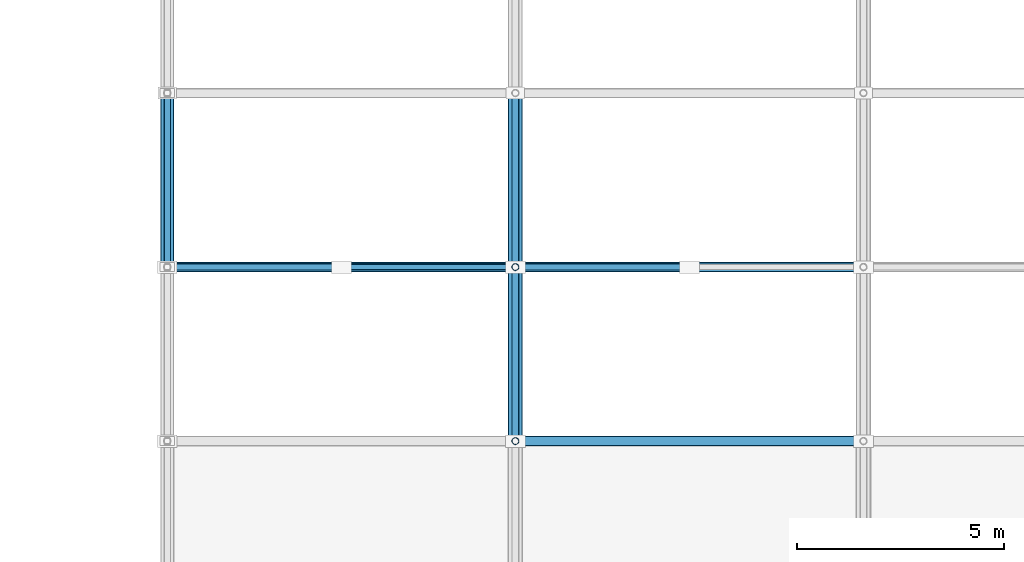
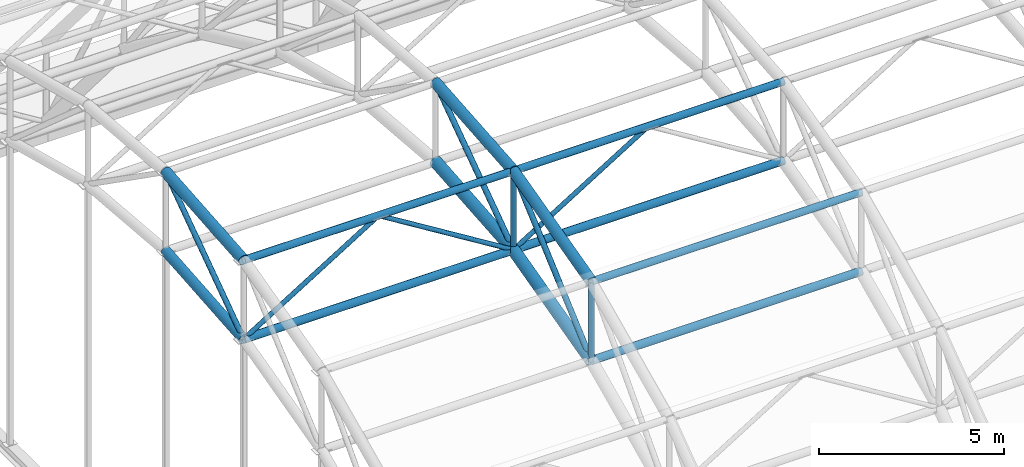
# One storey, part 11 of 103: 14 members, 6 beams.
"""IFC4 building model written with IfcOpenShell, lengths in metres."""

from ifc_helpers import new_model, si_unit, direction, frame, origin, origin_2d, place, context, subcontext, project, spatial, hollow_circle, extrude, material, material_profile, profile_set, type_object, element, save


model = new_model("IFC4")

# Units and contexts
model_context = context("Model", 3, precision=1e-05, world=origin(), true_north=direction((0.0, 1.0)))
body_context = subcontext(model_context, "Body", "Model", "MODEL_VIEW")
ifc_project = project(units=[si_unit("LENGTHUNIT", "METRE"), si_unit("AREAUNIT", "SQUARE_METRE"), si_unit("VOLUMEUNIT", "CUBIC_METRE"), si_unit("PLANEANGLEUNIT", "RADIAN"), si_unit("MASSUNIT", "GRAM", prefix="KILO")], contexts=[model_context])

# Site, building, storey
site_placement = place(None, origin())
site = spatial("IfcSite", under=ifc_project, at=site_placement, CompositionType="ELEMENT")
building_placement = place(site_placement, origin())
building = spatial("IfcBuilding", under=site, at=building_placement, Name="Varnapada Polytechnic", CompositionType="ELEMENT")
storey_placement = place(building_placement, frame((0.0, 0.0, 18.0)))
storey = spatial("IfcBuildingStorey", under=building, at=storey_placement, Name="L04", CompositionType="ELEMENT", Elevation=18.0)

# Beam
ifc_material = material(Name="Steel S355", Category="steel")
ifc_material_profile_1 = material_profile(ifc_material, hollow_circle(Radius=0.149169921875, WallThickness=0.010009765625, at=origin_2d()), Name="CHS 298.5x10.0")
ifc_profile_set_1 = profile_set([ifc_material_profile_1], Name="Steel S355")
beam_type_1 = type_object("IfcBeamType", Name="Space frame end-bay arch rib VA-04 (CHS 298.5x10.0)", PredefinedType="BEAM", material=ifc_profile_set_1)
beam_1_placement = place(storey_placement, frame((50.39990234375, 100.800048828125, 11.080078125), z_axis=(0.0, 0.99644233396, 0.084277369988), x_axis=(-1.0, 0.0, 0.0)))
element("IfcBeam", 1, at=beam_1_placement, inside=storey, type_object=beam_type_1, Name="Vaulted space frame bottom arch chord 1.5", PredefinedType="BEAM", context=body_context, shape_type="SweptSolid", body=[
    extrude(hollow_circle(Radius=0.149169921875, WallThickness=0.010009765625, at=origin_2d()), origin(), (0.0, 0.0, 1.0), 4.21484375),
])

# Members
ifc_material_profile_2 = material_profile(ifc_material, hollow_circle(Radius=0.07958984375, WallThickness=0.00634765625, at=origin_2d()), Name="CHS 159.0x6.3")
ifc_profile_set_2 = profile_set([ifc_material_profile_2], Name="Steel S355")
member_type_1 = type_object("IfcMemberType", Name="Space frame perimeter web diagonal SFB-03 (CHS 159.0x6.3)", PredefinedType="BRACE", material=ifc_profile_set_2)
member_1_placement = place(storey_placement, frame((50.39990234375, 100.800048828125, 11.080078125), z_axis=(0.0, 0.817824649693, 0.575467498956), x_axis=(-1.0, 0.0, 0.0)))
element("IfcMember", 2, at=member_1_placement, inside=storey, type_object=member_type_1, Name="Vaulted space frame web diagonal 1.5", PredefinedType="BRACE", context=body_context, shape_type="SweptSolid", body=[
    extrude(hollow_circle(Radius=0.07958984375, WallThickness=0.00634765625, at=origin_2d()), origin(), (0.0, 0.0, 1.0), 5.135498046875),
])
ifc_material_profile_3 = material_profile(ifc_material, hollow_circle(Radius=0.122314453125, WallThickness=0.008056640625, at=origin_2d()), Name="CHS 244.5x8.0")
ifc_profile_set_3 = profile_set([ifc_material_profile_3], Name="Steel S355")
member_type_2 = type_object("IfcMemberType", Name="Vaulted space frame longitudinal bottom chord SFC-01 (CHS 244.5x8.0)", PredefinedType="CHORD", material=ifc_profile_set_3)
member_2_placement = place(storey_placement, frame((50.39990234375, 100.800048828125, 11.080078125), z_axis=(1.0, 0.0, 0.0), x_axis=(0.0, 1.0, 0.0)))
element("IfcMember", 3, at=member_2_placement, inside=storey, type_object=member_type_2, Name="Vaulted space frame longitudinal bottom chord 1.5", PredefinedType="CHORD", context=body_context, shape_type="SweptSolid", body=[
    extrude(hollow_circle(Radius=0.122314453125, WallThickness=0.008056640625, at=origin_2d()), origin(), (0.0, 0.0, 1.0), 8.400146484375),
])
for number, where, z_axis, x_axis, name in (
    (4, (58.800048828125, 96.60009765625, 9.98193359375), (1.0, 0.0, 0.0), (0.0, 1.0, 0.0), "Vaulted space frame longitudinal bottom chord 2.4"),
    (5, (58.800048828125, 100.800048828125, 11.080078125), (1.0, 0.0, 0.0), (0.0, 1.0, 0.0), "Vaulted space frame longitudinal bottom chord 2.5"),
):
    element("IfcMember", number, at=place(storey_placement, frame(where, z_axis=z_axis, x_axis=x_axis)), inside=storey, type_object=member_type_2, Name=name, PredefinedType="CHORD", context=body_context, shape_type="SweptSolid", body=[
        extrude(hollow_circle(Radius=0.122314453125, WallThickness=0.008056640625, at=origin_2d()), origin(), (0.0, 0.0, 1.0), 8.39990234375),
    ])
ifc_material_profile_4 = material_profile(ifc_material, hollow_circle(Radius=0.109619140625, WallThickness=0.008056640625, at=origin_2d()), Name="CHS 219.1x8.0")
ifc_profile_set_4 = profile_set([ifc_material_profile_4], Name="Steel S355")
member_type_3 = type_object("IfcMemberType", Name="Vaulted space frame longitudinal top chord SFC-02 (CHS 219.1x8.0)", PredefinedType="CHORD", material=ifc_profile_set_4)
member_3_placement = place(storey_placement, frame((50.39990234375, 100.800048828125, 13.679931640625), z_axis=(1.0, 0.0, 0.0), x_axis=(0.0, 1.0, 0.0)))
element("IfcMember", 6, at=member_3_placement, inside=storey, type_object=member_type_3, Name="Vaulted space frame longitudinal top chord 1.5", PredefinedType="CHORD", context=body_context, shape_type="SweptSolid", body=[
    extrude(hollow_circle(Radius=0.109619140625, WallThickness=0.008056640625, at=origin_2d()), origin(), (0.0, 0.0, 1.0), 8.400146484375),
])
for number, where, z_axis, x_axis, name in (
    (7, (58.800048828125, 96.60009765625, 12.581787109375), (1.0, 0.0, 0.0), (0.0, 1.0, 0.0), "Vaulted space frame longitudinal top chord 2.4"),
    (8, (58.800048828125, 100.800048828125, 13.679931640625), (1.0, 0.0, 0.0), (0.0, 1.0, 0.0), "Vaulted space frame longitudinal top chord 2.5"),
):
    element("IfcMember", number, at=place(storey_placement, frame(where, z_axis=z_axis, x_axis=x_axis)), inside=storey, type_object=member_type_3, Name=name, PredefinedType="CHORD", context=body_context, shape_type="SweptSolid", body=[
        extrude(hollow_circle(Radius=0.109619140625, WallThickness=0.008056640625, at=origin_2d()), origin(), (0.0, 0.0, 1.0), 8.39990234375),
    ])

# Beams
ifc_material_profile_5 = material_profile(ifc_material, hollow_circle(Radius=0.177734375, WallThickness=0.012451171875, at=origin_2d()), Name="CHS 355.6x12.5")
ifc_profile_set_5 = profile_set([ifc_material_profile_5], Name="Steel S355")
beam_type_2 = type_object("IfcBeamType", Name="Vaulted space frame primary arch rib VA-01 (CHS 355.6x12.5)", PredefinedType="BEAM", material=ifc_profile_set_5)
beam_2_placement = place(storey_placement, frame((58.800048828125, 96.60009765625, 9.98193359375), z_axis=(0.0, 0.967476176159, 0.252962148484), x_axis=(-1.0, 0.0, 0.0)))
element("IfcBeam", 9, at=beam_2_placement, inside=storey, type_object=beam_type_2, Name="Vaulted space frame bottom arch chord 2.4", PredefinedType="BEAM", context=body_context, shape_type="SweptSolid", body=[
    extrude(hollow_circle(Radius=0.177734375, WallThickness=0.012451171875, at=origin_2d()), origin(), (0.0, 0.0, 1.0), 4.341064453125),
])
beam_3_placement = place(storey_placement, frame((58.800048828125, 100.800048828125, 11.080078125), z_axis=(0.0, 0.99644233396, 0.084277369988), x_axis=(-1.0, 0.0, 0.0)))
element("IfcBeam", 10, at=beam_3_placement, inside=storey, type_object=beam_type_2, Name="Vaulted space frame bottom arch chord 2.5", PredefinedType="BEAM", context=body_context, shape_type="SweptSolid", body=[
    extrude(hollow_circle(Radius=0.177734375, WallThickness=0.012451171875, at=origin_2d()), origin(), (0.0, 0.0, 1.0), 4.21484375),
])

# Members
ifc_material_profile_6 = material_profile(ifc_material, hollow_circle(Radius=0.084228515625, WallThickness=0.00634765625, at=origin_2d()), Name="CHS 168.3x6.3")
ifc_profile_set_6 = profile_set([ifc_material_profile_6], Name="Steel S355")
member_type_4 = type_object("IfcMemberType", Name="Vaulted space frame primary web diagonal SFB-01 (CHS 168.3x6.3)", PredefinedType="BRACE", material=ifc_profile_set_6)
member_4_placement = place(storey_placement, frame((58.800048828125, 96.60009765625, 9.98193359375), z_axis=(0.0, 0.750532603682, 0.660833421378), x_axis=(-1.0, 0.0, 0.0)))
element("IfcMember", 11, at=member_4_placement, inside=storey, type_object=member_type_4, Name="Vaulted space frame web diagonal 2.4", PredefinedType="BRACE", context=body_context, shape_type="SweptSolid", body=[
    extrude(hollow_circle(Radius=0.084228515625, WallThickness=0.00634765625, at=origin_2d()), origin(), (0.0, 0.0, 1.0), 5.595947265625),
])
member_5_placement = place(storey_placement, frame((58.800048828125, 100.800048828125, 11.080078125), z_axis=(0.0, 0.817824649693, 0.575467498956), x_axis=(-1.0, 0.0, 0.0)))
element("IfcMember", 12, at=member_5_placement, inside=storey, type_object=member_type_4, Name="Vaulted space frame web diagonal 2.5", PredefinedType="BRACE", context=body_context, shape_type="SweptSolid", body=[
    extrude(hollow_circle(Radius=0.084228515625, WallThickness=0.00634765625, at=origin_2d()), origin(), (0.0, 0.0, 1.0), 5.135498046875),
])
ifc_material_profile_7 = material_profile(ifc_material, hollow_circle(Radius=0.084228515625, WallThickness=0.00634765625, at=origin_2d()), Name="CHS 168.3x6.3")
ifc_profile_set_7 = profile_set([ifc_material_profile_7], Name="Steel S355")
member_type_5 = type_object("IfcMemberType", Name="Vaulted space frame radial web strut SFS-01 (CHS 168.3x6.3)", PredefinedType="STRUT", material=ifc_profile_set_7)
for number, where, z_axis, x_axis, name in (
    (13, (58.800048828125, 96.60009765625, 9.98193359375), (0.0, 0.0, 1.0), (1.0, 0.0, 0.0), "Vaulted space frame strut 2.4"),
    (14, (58.800048828125, 100.800048828125, 11.080078125), (0.0, 0.0, 1.0), (1.0, 0.0, 0.0), "Vaulted space frame strut 2.5"),
):
    element("IfcMember", number, at=place(storey_placement, frame(where, z_axis=z_axis, x_axis=x_axis)), inside=storey, type_object=member_type_5, Name=name, PredefinedType="STRUT", context=body_context, shape_type="SweptSolid", body=[
        extrude(hollow_circle(Radius=0.084228515625, WallThickness=0.00634765625, at=origin_2d()), origin(), (0.0, 0.0, 1.0), 2.599853515625),
    ])
ifc_material_profile_8 = material_profile(ifc_material, hollow_circle(Radius=0.06982421875, WallThickness=0.0048828125, at=origin_2d()), Name="CHS 139.7x5.0")
ifc_profile_set_8 = profile_set([ifc_material_profile_8], Name="Steel S355")
member_type_6 = type_object("IfcMemberType", Name="Vaulted space frame secondary web diagonal SFB-02 (CHS 139.7x5.0)", PredefinedType="BRACE", material=ifc_profile_set_8)
member_6_placement = place(storey_placement, frame((50.39990234375, 100.800048828125, 11.080078125), z_axis=(0.850289371618, 0.0, 0.526315480025), x_axis=(0.0, 1.0, 0.0)))
element("IfcMember", 15, at=member_6_placement, inside=storey, type_object=member_type_6, Name="Vaulted space frame longitudinal brace 1.5A", PredefinedType="BRACE", context=body_context, shape_type="SweptSolid", body=[
    extrude(hollow_circle(Radius=0.06982421875, WallThickness=0.0048828125, at=origin_2d()), origin(), (0.0, 0.0, 1.0), 4.939697265625),
])
for number, where, z_axis, x_axis, name in (
    (16, (58.800048828125, 100.800048828125, 11.080078125), (-0.85027567993, 0.0, 0.526337598999), (0.0, -1.0, 0.0), "Vaulted space frame longitudinal brace 1.5B"),
    (17, (58.800048828125, 100.800048828125, 11.080078125), (0.85027567993, 0.0, 0.526337598999), (0.0, 1.0, 0.0), "Vaulted space frame longitudinal brace 2.5A"),
):
    element("IfcMember", number, at=place(storey_placement, frame(where, z_axis=z_axis, x_axis=x_axis)), inside=storey, type_object=member_type_6, Name=name, PredefinedType="BRACE", context=body_context, shape_type="SweptSolid", body=[
        extrude(hollow_circle(Radius=0.06982421875, WallThickness=0.0048828125, at=origin_2d()), origin(), (0.0, 0.0, 1.0), 4.939453125),
    ])

# Beams
ifc_material_profile_9 = material_profile(ifc_material, hollow_circle(Radius=0.161865234375, WallThickness=0.010009765625, at=origin_2d()), Name="CHS 323.9x10.0")
ifc_profile_set_9 = profile_set([ifc_material_profile_9], Name="Steel S355")
beam_type_3 = type_object("IfcBeamType", Name="Vaulted space frame upper arch rib VA-02 (CHS 323.9x10.0)", PredefinedType="BEAM", material=ifc_profile_set_9)
beam_4_placement = place(storey_placement, frame((50.39990234375, 100.800048828125, 13.679931640625), z_axis=(0.0, 0.996437468128, 0.084334880753), x_axis=(-1.0, 0.0, 0.0)))
element("IfcBeam", 18, at=beam_4_placement, inside=storey, type_object=beam_type_3, Name="Vaulted space frame top arch chord 1.5", PredefinedType="BEAM", context=body_context, shape_type="SweptSolid", body=[
    extrude(hollow_circle(Radius=0.161865234375, WallThickness=0.010009765625, at=origin_2d()), origin(), (0.0, 0.0, 1.0), 4.215087890625),
])
beam_5_placement = place(storey_placement, frame((58.800048828125, 96.60009765625, 12.581787109375), z_axis=(0.0, 0.967476176159, 0.252962148484), x_axis=(-1.0, 0.0, 0.0)))
element("IfcBeam", 19, at=beam_5_placement, inside=storey, type_object=beam_type_3, Name="Vaulted space frame top arch chord 2.4", PredefinedType="BEAM", context=body_context, shape_type="SweptSolid", body=[
    extrude(hollow_circle(Radius=0.161865234375, WallThickness=0.010009765625, at=origin_2d()), origin(), (0.0, 0.0, 1.0), 4.341064453125),
])
beam_6_placement = place(storey_placement, frame((58.800048828125, 100.800048828125, 13.679931640625), z_axis=(0.0, 0.996437468128, 0.084334880753), x_axis=(-1.0, 0.0, 0.0)))
element("IfcBeam", 20, at=beam_6_placement, inside=storey, type_object=beam_type_3, Name="Vaulted space frame top arch chord 2.5", PredefinedType="BEAM", context=body_context, shape_type="SweptSolid", body=[
    extrude(hollow_circle(Radius=0.161865234375, WallThickness=0.010009765625, at=origin_2d()), origin(), (0.0, 0.0, 1.0), 4.215087890625),
])

save(model, "model.ifc")
